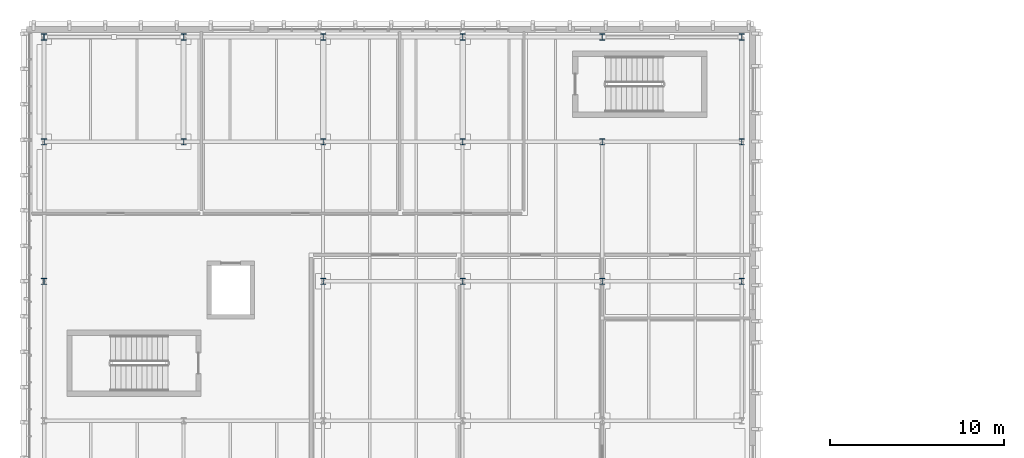
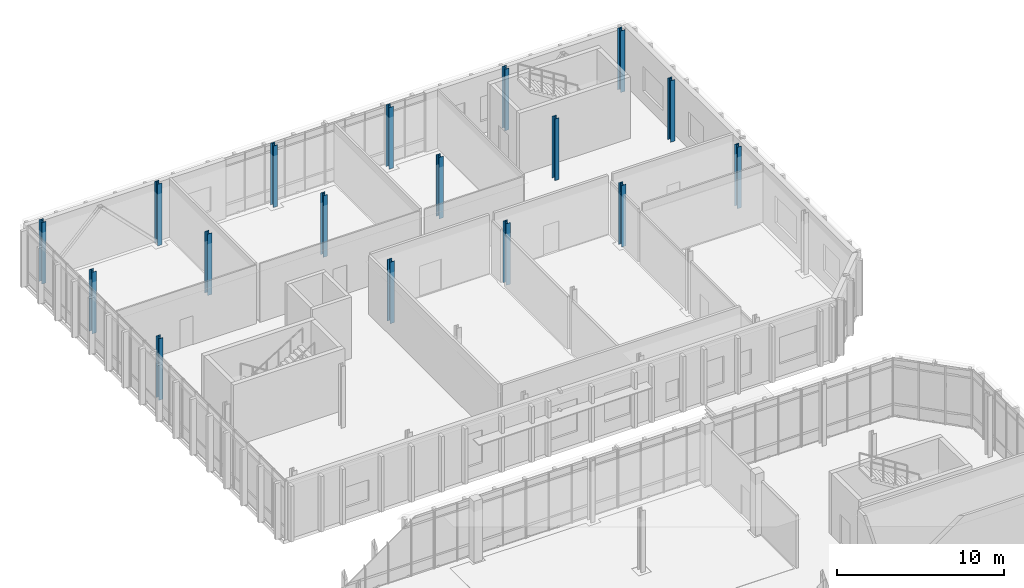
# One storey, part 4 of 62: 17 columns.
"""IFC4 building model written with IfcOpenShell, lengths in metres."""

from ifc_helpers import new_model, si_unit, direction, frame, origin, origin_2d, place, context, subcontext, project, spatial, i_section, extrude, material, material_profile, profile_set, type_object, element, save


model = new_model("IFC4")

# Units and contexts
model_context = context("Model", 3, precision=1e-05, world=origin(), true_north=direction((0.0, 1.0)))
body_context = subcontext(model_context, "Body", "Model", "MODEL_VIEW")
ifc_project = project(units=[si_unit("LENGTHUNIT", "METRE"), si_unit("AREAUNIT", "SQUARE_METRE"), si_unit("VOLUMEUNIT", "CUBIC_METRE"), si_unit("PLANEANGLEUNIT", "RADIAN"), si_unit("MASSUNIT", "GRAM", prefix="KILO")], contexts=[model_context])

# Site, building, storey
site_placement = place(None, origin())
site = spatial("IfcSite", under=ifc_project, at=site_placement, CompositionType="ELEMENT")
building_placement = place(site_placement, origin())
building = spatial("IfcBuilding", under=site, at=building_placement, Name="Cymarion Research Institute", CompositionType="ELEMENT")
storey_placement = place(building_placement, frame((0.0, 0.0, 18.300048828125)))
storey = spatial("IfcBuildingStorey", under=building, at=storey_placement, Name="L04", CompositionType="ELEMENT", Elevation=18.300048828125)

# Columns
ifc_material = material(Name="Steel S355", Category="steel")
ifc_material_profile_1 = material_profile(ifc_material, i_section(OverallWidth=0.300048828125, OverallDepth=0.360107421875, WebThickness=0.012451171875, FlangeThickness=0.0224609375, FilletRadius=0.027099609375, at=origin_2d()), Name="HEB 360")
ifc_profile_set_1 = profile_set([ifc_material_profile_1], Name="Steel S355")
column_type_1 = type_object("IfcColumnType", Name="STRUCTURAL COLUMN C07 HEB 360", PredefinedType="COLUMN", material=ifc_profile_set_1)
for number, where, z_axis, x_axis, name in (
    (1, (6.60009765625, 101.5, 0.0), (0.0, 0.0, 1.0), (1.0, 0.0, 0.0), "L04 V5 column C07 #1028"),
    (2, (6.60009765625, 115.5, 0.0), (0.0, 0.0, 1.0), (1.0, 0.0, 0.0), "L04 V5 column C07 #1030"),
    (3, (14.60009765625, 115.5, 0.0), (0.0, 0.0, 1.0), (1.0, 0.0, 0.0), "L04 V5 column C07 #1039"),
    (4, (22.60009765625, 101.5, 0.0), (0.0, 0.0, 1.0), (1.0, 0.0, 0.0), "L04 V5 column C07 #1047"),
    (5, (22.60009765625, 115.5, 0.0), (0.0, 0.0, 1.0), (1.0, 0.0, 0.0), "L04 V5 column C07 #1049"),
    (6, (30.60009765625, 101.5, 0.0), (0.0, 0.0, 1.0), (1.0, 0.0, 0.0), "L04 V5 column C07 #1057"),
    (7, (30.60009765625, 115.5, 0.0), (0.0, 0.0, 1.0), (1.0, 0.0, 0.0), "L04 V5 column C07 #1059"),
    (8, (38.60009765625, 101.5, 0.0), (0.0, 0.0, 1.0), (1.0, 0.0, 0.0), "L04 V5 column C07 #1066"),
    (9, (38.60009765625, 115.5, 0.0), (0.0, 0.0, 1.0), (1.0, 0.0, 0.0), "L04 V5 column C07 #1068"),
    (10, (46.60009765625, 101.5, 0.0), (0.0, 0.0, 1.0), (1.0, 0.0, 0.0), "L04 V5 column C07 #1074"),
    (11, (46.60009765625, 115.5, 0.0), (0.0, 0.0, 1.0), (1.0, 0.0, 0.0), "L04 V5 column C07 #1076"),
):
    element("IfcColumn", number, at=place(storey_placement, frame(where, z_axis=z_axis, x_axis=x_axis)), inside=storey, type_object=column_type_1, Name=name, PredefinedType="COLUMN", context=body_context, shape_type="SweptSolid", body=[
        extrude(i_section(OverallWidth=0.300048828125, OverallDepth=0.360107421875, WebThickness=0.012451171875, FlangeThickness=0.0224609375, FilletRadius=0.027099609375, at=origin_2d()), origin(), (0.0, 0.0, 1.0), 4.5),
    ])
ifc_material_profile_2 = material_profile(ifc_material, i_section(OverallWidth=0.300048828125, OverallDepth=0.35009765625, WebThickness=0.010009765625, FlangeThickness=0.017578125, FilletRadius=0.027099609375, at=origin_2d()), Name="HEA 360")
ifc_profile_set_2 = profile_set([ifc_material_profile_2], Name="Steel S355")
column_type_2 = type_object("IfcColumnType", Name="STRUCTURAL COLUMN C12 HEA 360", PredefinedType="COLUMN", material=ifc_profile_set_2)
for number, where, z_axis, x_axis, name in (
    (12, (6.60009765625, 109.5, 0.0), (0.0, 0.0, 1.0), (1.0, 0.0, 0.0), "L04 V5 column C12 #1029"),
    (13, (14.60009765625, 109.5, 0.0), (0.0, 0.0, 1.0), (1.0, 0.0, 0.0), "L04 V5 column C12 #1038"),
    (14, (22.60009765625, 109.5, 0.0), (0.0, 0.0, 1.0), (1.0, 0.0, 0.0), "L04 V5 column C12 #1048"),
    (15, (30.60009765625, 109.5, 0.0), (0.0, 0.0, 1.0), (1.0, 0.0, 0.0), "L04 V5 column C12 #1058"),
    (16, (38.60009765625, 109.5, 0.0), (0.0, 0.0, 1.0), (1.0, 0.0, 0.0), "L04 V5 column C12 #1067"),
    (17, (46.60009765625, 109.5, 0.0), (0.0, 0.0, 1.0), (1.0, 0.0, 0.0), "L04 V5 column C12 #1075"),
):
    element("IfcColumn", number, at=place(storey_placement, frame(where, z_axis=z_axis, x_axis=x_axis)), inside=storey, type_object=column_type_2, Name=name, PredefinedType="COLUMN", context=body_context, shape_type="SweptSolid", body=[
        extrude(i_section(OverallWidth=0.300048828125, OverallDepth=0.35009765625, WebThickness=0.010009765625, FlangeThickness=0.017578125, FilletRadius=0.027099609375, at=origin_2d()), origin(), (0.0, 0.0, 1.0), 4.5),
    ])

save(model, "model.ifc")
